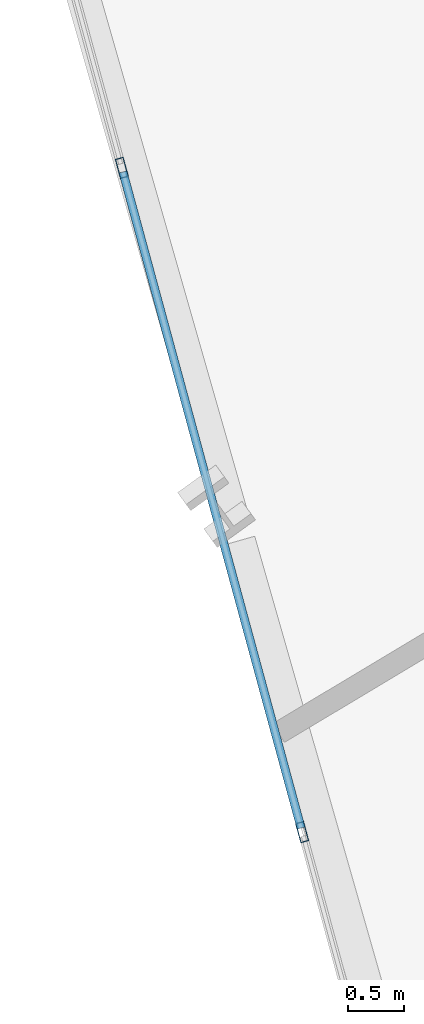
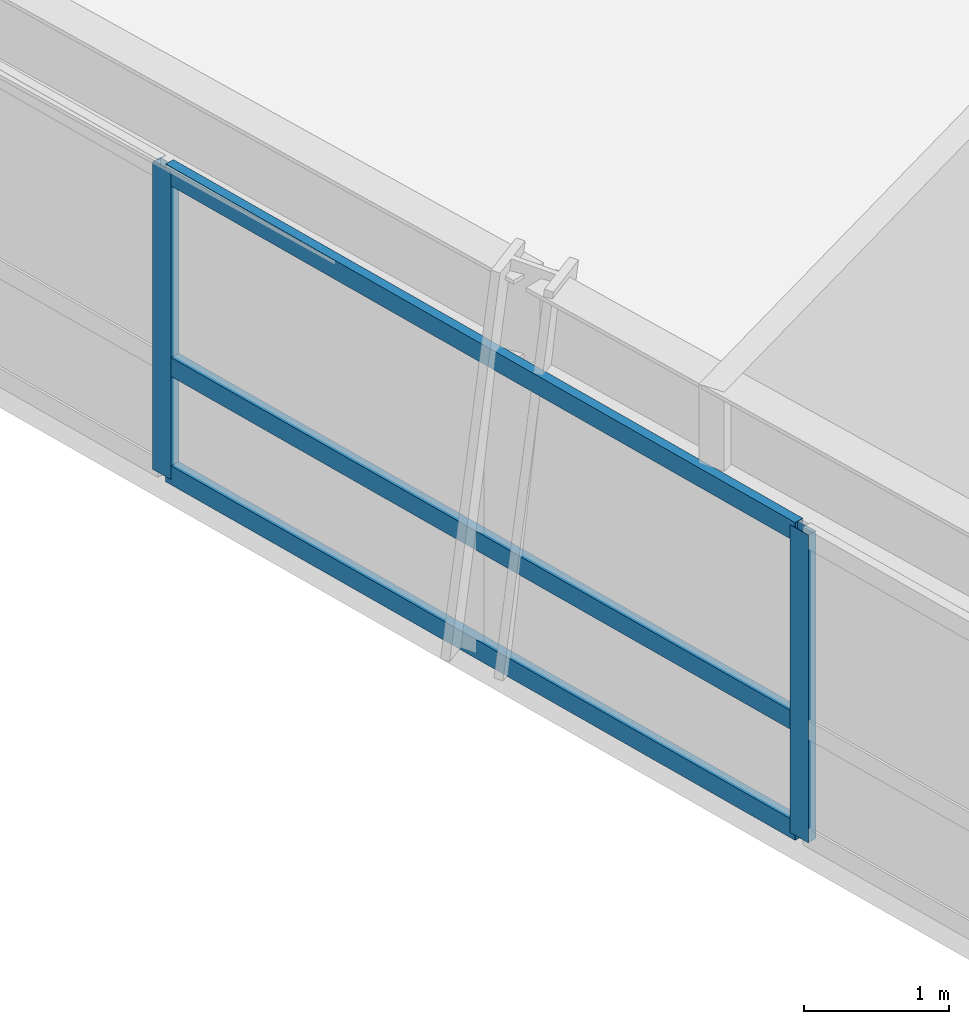
# One storey, part 4 of 20: 5 members, 1 element without a shape of its own.
"""IFC4 building model written with IfcOpenShell, lengths in metres."""

from ifc_helpers import new_model, si_unit, direction, frame, origin, origin_2d, place, context, subcontext, project, spatial, hollow_rectangle, extrude, source, transform, mapped, material, material_profile, profile_set, type_object, element, aggregate, save


model = new_model("IFC4")

# Units and contexts
model_context = context("Model", 3, precision=1e-05, world=origin(), true_north=direction((0.0, 1.0)))
body_context = subcontext(model_context, "Body", "Model", "MODEL_VIEW")
ifc_project = project(units=[si_unit("LENGTHUNIT", "METRE"), si_unit("AREAUNIT", "SQUARE_METRE"), si_unit("VOLUMEUNIT", "CUBIC_METRE"), si_unit("PLANEANGLEUNIT", "RADIAN"), si_unit("MASSUNIT", "GRAM", prefix="KILO")], contexts=[model_context])

# Site, building, storey
site_placement = place(None, origin())
site = spatial("IfcSite", under=ifc_project, at=site_placement, CompositionType="ELEMENT")
building_placement = place(site_placement, origin())
building = spatial("IfcBuilding", under=site, at=building_placement, Name="Olszyna Solenne Hotel", CompositionType="ELEMENT")
storey_placement = place(building_placement, frame((0.0, 0.0, 43.5)))
storey = spatial("IfcBuildingStorey", under=building, at=storey_placement, Name="L10", CompositionType="ELEMENT", Elevation=43.5)

# Curtain wall, members
ifc_material = material(Name="Anodised bronze aluminium", Category="aluminium")
curtain_wall_type = type_object("IfcCurtainWallType", Name="CW-SYS-2", PredefinedType="NOTDEFINED", material=ifc_material)
curtain_wall_placement = place(storey_placement, origin())
curtain_wall = element("IfcCurtainWall", 1, at=curtain_wall_placement, inside=storey, type_object=curtain_wall_type, Name="Unitised curtain wall CW-SYS-2 CW-L10-01", PredefinedType="NOTDEFINED")
ifc_material_profile_1 = material_profile(ifc_material, hollow_rectangle(XDim=0.074951171875, YDim=0.179931640625, WallThickness=0.00439453125, at=origin_2d()), Name="MULL 180x75x4.5", Category="load-bearing")
ifc_profile_set_1 = profile_set([ifc_material_profile_1], Name="Anodised bronze aluminium")
member_type_1 = type_object("IfcMemberType", Name="CW-M2", PredefinedType="MULLION", material=ifc_profile_set_1)
shared_shape_1 = source(origin(), body_context, "Body", "SweptSolid", [
    extrude(hollow_rectangle(XDim=0.074951171875, YDim=0.179931640625, WallThickness=0.00439453125, at=origin_2d()), origin(), (0.0, 0.0, 1.0), 2.592041015625),
])
member_1_placement = place(storey_placement, frame((16.87353515625, 19.87451171875, 0.0), z_axis=(0.0, 0.0, 1.0), x_axis=(0.965057549834, 0.262038023021, 0.0)))
member_1 = element("IfcMember", 2, at=member_1_placement, type_object=member_type_1, Name="Curtain-wall mullion CW-M2 CM-L10-01-02", PredefinedType="MULLION", context=body_context, shape_type="MappedRepresentation", body=[
    mapped(shared_shape_1, transform((0.0, 0.0, 0.0), x_axis=(1.0, 0.0, 0.0), y_axis=(0.0, 1.0, 0.0), z_axis=(0.0, 0.0, 1.0), scale=1.0)),
])
member_2_placement = place(storey_placement, frame((18.4970703125, 13.89453125, 0.0), z_axis=(0.0, 0.0, 1.0), x_axis=(0.965057549834, 0.262038023021, 0.0)))
member_2 = element("IfcMember", 3, at=member_2_placement, type_object=member_type_1, Name="Curtain-wall mullion CW-M2 CM-L10-01-03", PredefinedType="MULLION", context=body_context, shape_type="MappedRepresentation", body=[
    mapped(shared_shape_1, transform((0.0, 0.0, 0.0), x_axis=(1.0, 0.0, 0.0), y_axis=(0.0, 1.0, 0.0), z_axis=(0.0, 0.0, 1.0), scale=1.0)),
])
ifc_material_profile_2 = material_profile(ifc_material, hollow_rectangle(XDim=0.074951171875, YDim=0.159912109375, WallThickness=0.00390625, at=origin_2d()), Name="TRAN 160x75x4", Category="load-bearing")
ifc_profile_set_2 = profile_set([ifc_material_profile_2], Name="Anodised bronze aluminium")
member_type_2 = type_object("IfcMemberType", Name="CW-T1", PredefinedType="USERDEFINED", material=ifc_profile_set_2)
shared_shape_2 = source(origin(), body_context, "Body", "SweptSolid", [
    extrude(hollow_rectangle(XDim=0.074951171875, YDim=0.159912109375, WallThickness=0.00390625, at=origin_2d()), origin(), (0.0, 0.0, 1.0), 6.12158203125),
])
member_3_placement = place(storey_placement, frame((16.88330078125, 19.83837890625, 0.03759765625), z_axis=(0.262023860121, -0.965061395315, 0.0), x_axis=(0.965061395315, 0.262023860121, 0.0)))
member_3 = element("IfcMember", 4, at=member_3_placement, type_object=member_type_2, Name="Curtain-wall transom CW-T1 CT-L10-01-04", ObjectType="TRANSOM", PredefinedType="USERDEFINED", context=body_context, shape_type="MappedRepresentation", body=[
    mapped(shared_shape_2, transform((0.0, 0.0, 0.0), x_axis=(1.0, 0.0, 0.0), y_axis=(0.0, 1.0, 0.0), z_axis=(0.0, 0.0, 1.0), scale=1.0)),
])
member_4_placement = place(storey_placement, frame((16.88330078125, 19.83837890625, 0.949951171875), z_axis=(0.262023860121, -0.965061395315, 0.0), x_axis=(0.965061395315, 0.262023860121, 0.0)))
member_4 = element("IfcMember", 5, at=member_4_placement, type_object=member_type_2, Name="Curtain-wall transom CW-T1 CT-L10-01-05", ObjectType="TRANSOM", PredefinedType="USERDEFINED", context=body_context, shape_type="MappedRepresentation", body=[
    mapped(shared_shape_2, transform((0.0, 0.0, 0.0), x_axis=(1.0, 0.0, 0.0), y_axis=(0.0, 1.0, 0.0), z_axis=(0.0, 0.0, 1.0), scale=1.0)),
])
member_5_placement = place(storey_placement, frame((16.88330078125, 19.83837890625, 2.554443359375), z_axis=(0.262023860121, -0.965061395315, 0.0), x_axis=(0.965061395315, 0.262023860121, 0.0)))
member_5 = element("IfcMember", 6, at=member_5_placement, type_object=member_type_2, Name="Curtain-wall transom CW-T1 CT-L10-01-06", ObjectType="TRANSOM", PredefinedType="USERDEFINED", context=body_context, shape_type="MappedRepresentation", body=[
    mapped(shared_shape_2, transform((0.0, 0.0, 0.0), x_axis=(1.0, 0.0, 0.0), y_axis=(0.0, 1.0, 0.0), z_axis=(0.0, 0.0, 1.0), scale=1.0)),
])
aggregate(curtain_wall, [member_1, member_2, member_3, member_4, member_5])

save(model, "model.ifc")
